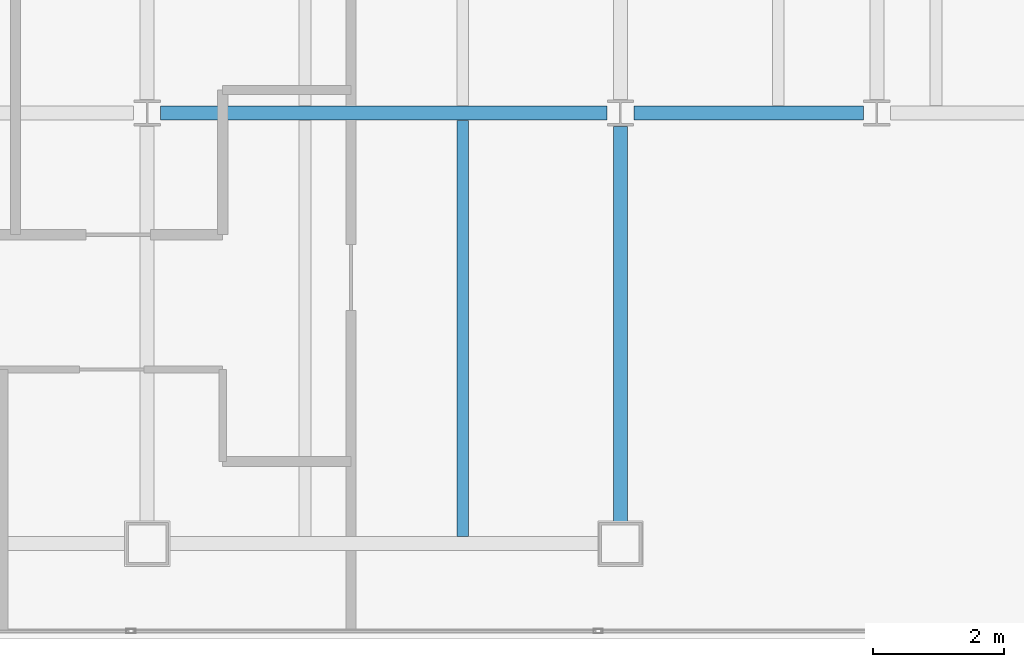
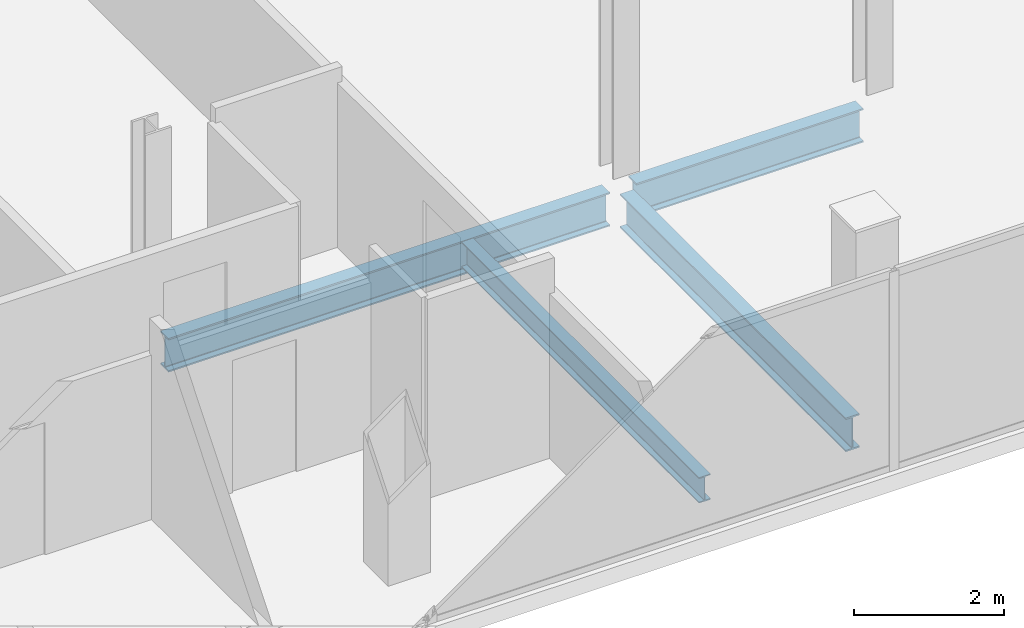
# One storey, part 13 of 24: 4 beams.
"""IFC4 building model written with IfcOpenShell, lengths in metres."""

from ifc_helpers import new_model, si_unit, direction, frame, origin, origin_2d, place, context, subcontext, project, spatial, i_section, extrude, material, material_profile, profile_set, type_object, element, save


model = new_model("IFC4")

# Units and contexts
model_context = context("Model", 3, precision=1e-05, world=origin(), true_north=direction((0.0, 1.0)))
body_context = subcontext(model_context, "Body", "Model", "MODEL_VIEW")
ifc_project = project(units=[si_unit("LENGTHUNIT", "METRE"), si_unit("AREAUNIT", "SQUARE_METRE"), si_unit("VOLUMEUNIT", "CUBIC_METRE"), si_unit("PLANEANGLEUNIT", "RADIAN"), si_unit("MASSUNIT", "GRAM", prefix="KILO")], contexts=[model_context])

# Site, building, storey
site_placement = place(None, origin())
site = spatial("IfcSite", under=ifc_project, at=site_placement, CompositionType="ELEMENT")
building_placement = place(site_placement, origin())
building = spatial("IfcBuilding", under=site, at=building_placement, Name="Cobrela Telecom Tower", CompositionType="ELEMENT")
storey_placement = place(building_placement, frame((0.0, 0.0, 290.14990234375)))
storey = spatial("IfcBuildingStorey", under=building, at=storey_placement, Name="L76", CompositionType="ELEMENT", Elevation=290.14990234375)

# Beams
ifc_material = material(Name="Steel ASTM A992 Grade 50", Category="steel")
ifc_material_profile_1 = material_profile(ifc_material, i_section(OverallWidth=0.212890625, OverallDepth=0.549072265625, WebThickness=0.0146484375, FlangeThickness=0.023681640625, FilletRadius=0.013916015625, at=origin_2d()), Name="W21X93")
ifc_profile_set_1 = profile_set([ifc_material_profile_1], Name="Steel ASTM A992 Grade 50")
beam_type_1 = type_object("IfcBeamType", Name="BM-GIRD-08", PredefinedType="USERDEFINED", material=ifc_profile_set_1)
beam_1_placement = place(storey_placement, frame((29.00439453125, 14.39990234375, -0.534423828125), z_axis=(1.0, 0.0, 0.0), x_axis=(0.0, 1.0, 0.0)))
element("IfcBeam", 1, at=beam_1_placement, inside=storey, type_object=beam_type_1, Name="L76 Primary Girder X07", ObjectType="GIRDER", PredefinedType="USERDEFINED", context=body_context, shape_type="SweptSolid", body=[
    extrude(i_section(OverallWidth=0.212890625, OverallDepth=0.549072265625, WebThickness=0.0146484375, FlangeThickness=0.023681640625, FilletRadius=0.013916015625, at=origin_2d()), origin(), (0.0, 0.0, 1.0), 6.791015625),
])
beam_2_placement = place(storey_placement, frame((36.20458984375, 14.39990234375, -0.534423828125), z_axis=(1.0, 0.0, 0.0), x_axis=(0.0, 1.0, 0.0)))
element("IfcBeam", 2, at=beam_2_placement, inside=storey, type_object=beam_type_1, Name="L76 Primary Girder X08", ObjectType="GIRDER", PredefinedType="USERDEFINED", context=body_context, shape_type="SweptSolid", body=[
    extrude(i_section(OverallWidth=0.212890625, OverallDepth=0.549072265625, WebThickness=0.0146484375, FlangeThickness=0.023681640625, FilletRadius=0.013916015625, at=origin_2d()), origin(), (0.0, 0.0, 1.0), 3.490966796875),
])
beam_3_placement = place(storey_placement, frame((36.0, 8.179931640625, -0.534423828125), z_axis=(0.0, 1.0, 0.0), x_axis=(-1.0, 0.0, 0.0)))
element("IfcBeam", 3, at=beam_3_placement, inside=storey, type_object=beam_type_1, Name="L76 Primary Girder Y31", ObjectType="GIRDER", PredefinedType="USERDEFINED", context=body_context, shape_type="SweptSolid", body=[
    extrude(i_section(OverallWidth=0.212890625, OverallDepth=0.549072265625, WebThickness=0.0146484375, FlangeThickness=0.023681640625, FilletRadius=0.013916015625, at=origin_2d()), origin(), (0.0, 0.0, 1.0), 6.015625),
])
ifc_material_profile_2 = material_profile(ifc_material, i_section(OverallWidth=0.179931640625, OverallDepth=0.4169921875, WebThickness=0.010986328125, FlangeThickness=0.01806640625, FilletRadius=0.011962890625, at=origin_2d()), Name="W16X57")
ifc_profile_set_2 = profile_set([ifc_material_profile_2], Name="Steel ASTM A992 Grade 50")
beam_type_2 = type_object("IfcBeamType", Name="BM-JOIST-04", PredefinedType="JOIST", material=ifc_profile_set_2)
beam_4_placement = place(storey_placement, frame((33.60009765625, 7.96142578125, -0.468505859375), z_axis=(0.0, 1.0, 0.0), x_axis=(-1.0, 0.0, 0.0)))
element("IfcBeam", 4, at=beam_4_placement, inside=storey, type_object=beam_type_2, Name="L76 Secondary Composite Floor Beam J13", PredefinedType="JOIST", context=body_context, shape_type="SweptSolid", body=[
    extrude(i_section(OverallWidth=0.179931640625, OverallDepth=0.4169921875, WebThickness=0.010986328125, FlangeThickness=0.01806640625, FilletRadius=0.011962890625, at=origin_2d()), origin(), (0.0, 0.0, 1.0), 6.3271484375),
])

save(model, "model.ifc")
